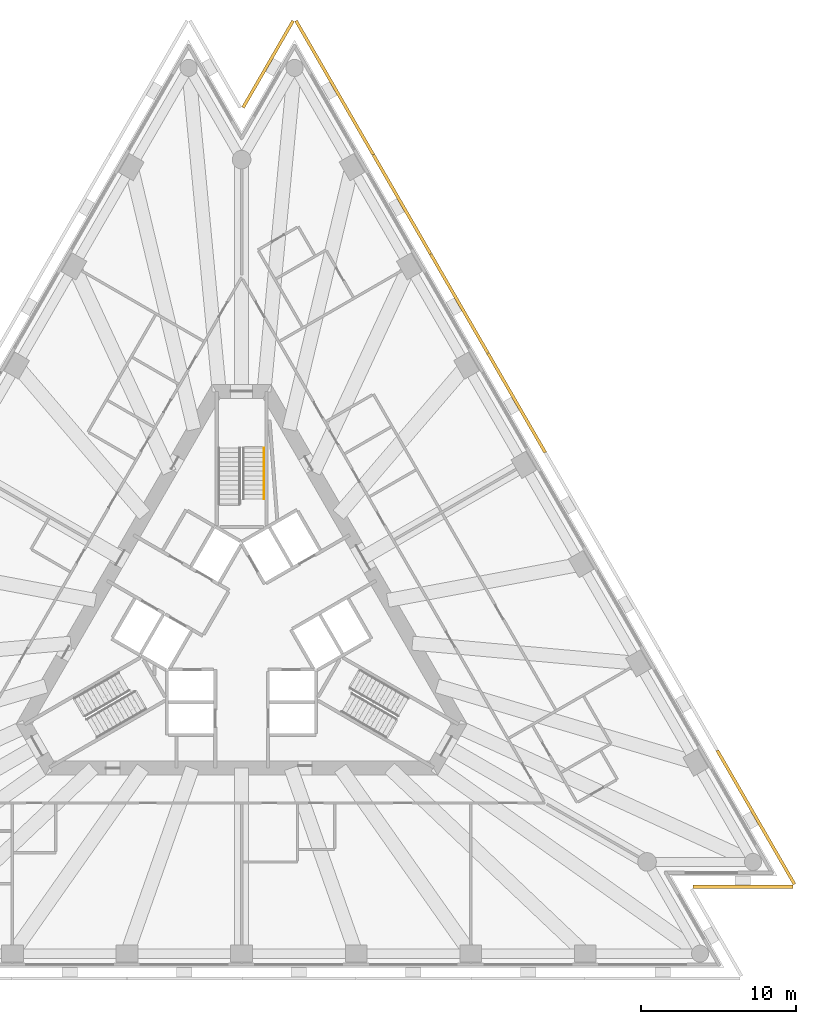
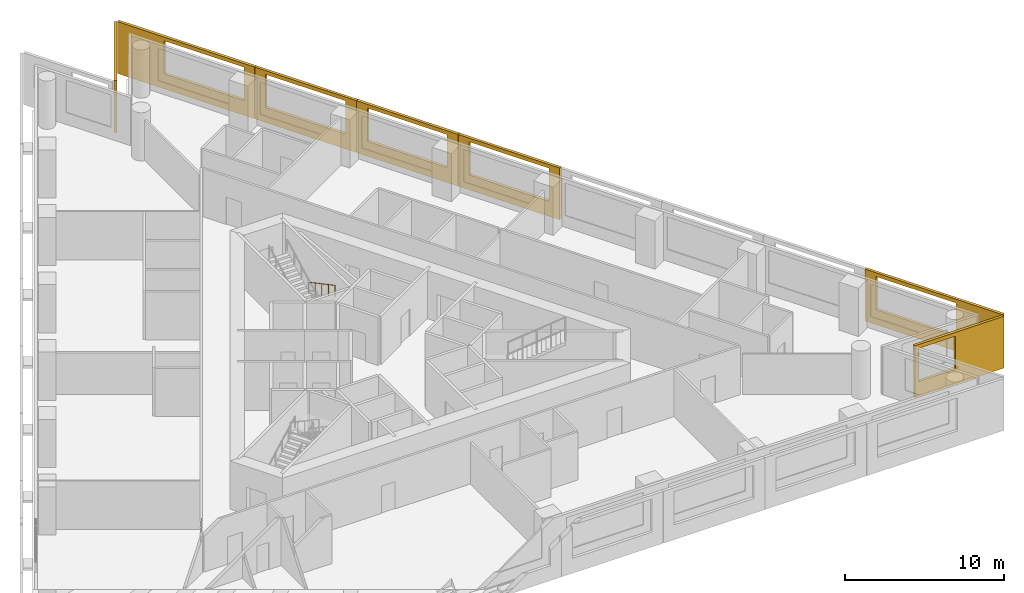
# One storey, part 11 of 11: 7 shading devices, 1 railing, 1 element without a shape of its own.
"""IFC4 building model written with IfcOpenShell, lengths in metres."""

import ifcopenshell
import ifcopenshell.guid

model = None  # the IFC model being written
_history = None  # IfcOwnerHistory: only IFC2X3 demands one
_inside = {}  # id of a spatial element -> (the spatial element, [elements in it])
_under = {}  # id of a project, library or spatial element -> (it, [spatial elements below it])
_declared = {}  # id of a project -> (the project, [libraries it declares])
_typed = {}  # id of a type object -> (the type object, [elements of that type])
_made_of = {}  # id of a material, layer set ... -> (it, [elements and type objects made of it])


def new_model(schema):
    """Start an empty IFC model of exactly this schema.

    Asked for "IFC4X3", IfcOpenShell would pick the latest addendum, in which some entities
    have other attributes; the version numbers below select the first issue.
    IFC2X3 requires an IfcOwnerHistory on every rooted entity: one is made here for all.
    """
    global model, _history
    if schema == "IFC4X3":
        model = ifcopenshell.file(schema_version=(4, 3, 0, 0))
    else:
        model = ifcopenshell.file(schema=schema)
    _inside.clear()
    _under.clear()
    _declared.clear()
    _typed.clear()
    _made_of.clear()
    _history = None
    if model.schema == "IFC2X3":
        org = make("IfcOrganization", Name="unknown")
        user = make(
            "IfcPersonAndOrganization",
            ThePerson=make("IfcPerson", FamilyName="unknown"),
            TheOrganization=org,
        )
        app = make(
            "IfcApplication",
            ApplicationDeveloper=org,
            Version="unknown",
            ApplicationFullName="unknown",
            ApplicationIdentifier="unknown",
        )
        _history = make(
            "IfcOwnerHistory",
            OwningUser=user,
            OwningApplication=app,
            ChangeAction="ADDED",
            CreationDate=0,
        )
    return model


def make(cls, **values):
    """One entity of the class cls with the attributes given. An attribute that is None is left unset."""
    return model.create_entity(
        cls, **{name: value for name, value in values.items() if value is not None}
    )


def rooted(cls, **values):
    """An entity with a GlobalId (a new one), such as an element, a storey or a relation."""
    return make(cls, GlobalId=ifcopenshell.guid.new(), OwnerHistory=_history, **values)


def si_unit(unit_type, name, prefix=None):
    """IfcSIUnit, for example si_unit("LENGTHUNIT", "METRE", prefix="MILLI")."""
    return make("IfcSIUnit", UnitType=unit_type, Prefix=prefix, Name=name)


def assignment(units):
    """IfcUnitAssignment: the units of a project."""
    return None if units is None else make("IfcUnitAssignment", Units=units)


def point(xyz):
    """IfcCartesianPoint."""
    return None if xyz is None else make("IfcCartesianPoint", Coordinates=xyz)


def direction(xyz):
    """IfcDirection."""
    return None if xyz is None else make("IfcDirection", DirectionRatios=xyz)


def frame(location, z_axis=None, x_axis=None):
    """IfcAxis2Placement3D, a coordinate frame: its origin and axes. An axis left out is left unset."""
    return make(
        "IfcAxis2Placement3D",
        Location=point(location),
        Axis=direction(z_axis),
        RefDirection=direction(x_axis),
    )


def frame_2d(location, x_axis=None):
    """IfcAxis2Placement2D, a coordinate frame in the plane: its origin and x axis."""
    return make(
        "IfcAxis2Placement2D", Location=point(location), RefDirection=direction(x_axis)
    )


def origin():
    """The frame at (0, 0, 0) with its axes left unset."""
    return frame((0.0, 0.0, 0.0))


def origin_2d():
    """The frame at (0, 0) in the plane with its x axis left unset."""
    return frame_2d((0.0, 0.0))


def place(relative_to, where):
    """IfcLocalPlacement: puts the frame where relative to a parent placement (None: the world)."""
    return make(
        "IfcLocalPlacement", PlacementRelTo=relative_to, RelativePlacement=where
    )


def context(
    kind, dimensions, precision=None, world=None, true_north=None, identifier=None
):
    """IfcGeometricRepresentationContext, for example the 3D "Model" context."""
    return make(
        "IfcGeometricRepresentationContext",
        ContextIdentifier=identifier,
        ContextType=kind,
        CoordinateSpaceDimension=dimensions,
        Precision=precision,
        WorldCoordinateSystem=world,
        TrueNorth=true_north,
    )


def subcontext(parent, identifier, kind, view, scale=None):
    """IfcGeometricRepresentationSubContext, for example "Body" below "Model"."""
    return make(
        "IfcGeometricRepresentationSubContext",
        ContextIdentifier=identifier,
        ContextType=kind,
        ParentContext=parent,
        TargetScale=scale,
        TargetView=view,
    )


def project(units=None, contexts=None):
    """IfcProject with its units and contexts."""
    return rooted(
        "IfcProject",
        Name="project",
        RepresentationContexts=contexts,
        UnitsInContext=assignment(units),
    )


def spatial(cls, under=None, at=None, **own):
    """A site, building, storey or space (cls), placed at a placement, below another one or the project."""
    s = rooted(cls, ObjectPlacement=at, **own)
    if under is not None:
        _under.setdefault(under.id(), (under, []))[1].append(s)
    return s


def polyline(points):
    """IfcPolyline through the points."""
    return make("IfcPolyline", Points=[point(p) for p in points])


def profile(cls, at=None, kind="AREA", **sizes):
    """A parametric profile (cls). Its sizes go by their IFC names, for example OverallWidth=200.0."""
    return make(cls, ProfileType=kind, Position=at, **sizes)


def circle(**sizes):
    """IfcCircleProfileDef."""
    return profile("IfcCircleProfileDef", **sizes)


def outline(outer, holes=None, kind="AREA"):
    """IfcArbitraryClosedProfileDef: a profile drawn as a closed curve; with holes, ...WithVoids."""
    if holes is None:
        return make("IfcArbitraryClosedProfileDef", ProfileType=kind, OuterCurve=outer)
    return make(
        "IfcArbitraryProfileDefWithVoids",
        ProfileType=kind,
        OuterCurve=outer,
        InnerCurves=holes,
    )


def extrude(swept, where, along, depth):
    """IfcExtrudedAreaSolid: the profile swept, set in the frame where, extruded along a direction by depth."""
    return make(
        "IfcExtrudedAreaSolid",
        SweptArea=swept,
        Position=where,
        ExtrudedDirection=direction(along),
        Depth=depth,
    )


def shape(context_of_items, identifier, shape_type, items):
    """IfcShapeRepresentation: the items that make up one representation, for example the "Body"."""
    return make(
        "IfcShapeRepresentation",
        ContextOfItems=context_of_items,
        RepresentationIdentifier=identifier,
        RepresentationType=shape_type,
        Items=items,
    )


def material(Name=None, Category=None):
    """IfcMaterial."""
    return make("IfcMaterial", Name=Name, Category=Category)


def layer(
    of_material, thickness, ventilated=None, Name=None, Category=None, Priority=None
):
    """IfcMaterialLayer: one layer of a wall or slab, of a material (None: an air gap)."""
    return make(
        "IfcMaterialLayer",
        Material=of_material,
        LayerThickness=thickness,
        IsVentilated=ventilated,
        Name=Name,
        Category=Category,
        Priority=Priority,
    )


def layer_set(layers, Name=None):
    """IfcMaterialLayerSet."""
    return make("IfcMaterialLayerSet", MaterialLayers=layers, LayerSetName=Name)


def made_of(thing, what):
    """Note that an element or type object is made of a material, layer set ...; save() writes the relation."""
    if what is not None:
        _made_of.setdefault(what.id(), (what, []))[1].append(thing)
    return thing


def type_object(cls, material=None, **own):
    """A type object (cls), such as IfcWallType, which elements share."""
    return made_of(rooted(cls, **own), material)


def element(
    cls,
    number,
    at=None,
    inside=None,
    cuts=None,
    type_object=None,
    material=None,
    context=None,
    identifier="Body",
    shape_type=None,
    held_by="IfcProductDefinitionShape",
    body=None,
    shapes=None,
    **own,
):
    """One element of the class cls, such as IfcWall. Its Tag is "e" and its number.

    at: its placement. inside: the storey or other place that contains it. cuts: it is an
    opening in that element (IfcRelVoidsElement). A single representation is given by context,
    identifier, shape_type and body (its items); several are given by shapes. held_by: the class
    of the entity that holds the representations. save() writes the other relations.
    """
    e = rooted(cls, Tag="e%d" % number, ObjectPlacement=at, **own)
    if body is not None:
        shapes = [shape(context, identifier, shape_type, body)]
    if shapes is not None:
        e.Representation = make(held_by, Representations=shapes)
    if inside is not None:
        _inside.setdefault(inside.id(), (inside, []))[1].append(e)
    if cuts is not None:
        rooted(
            "IfcRelVoidsElement", RelatingBuildingElement=cuts, RelatedOpeningElement=e
        )
    if type_object is not None:
        _typed.setdefault(type_object.id(), (type_object, []))[1].append(e)
    return made_of(e, material)


def aggregate(whole, parts):
    """IfcRelAggregates: a whole, such as a stair, and the parts it consists of."""
    return rooted("IfcRelAggregates", RelatingObject=whole, RelatedObjects=parts)


def save(model, path):
    """Write the relations noted so far, then the file.

    IfcRelAggregates (storeys below a building ...), IfcRelContainedInSpatialStructure (elements
    in a storey), IfcRelDefinesByType, IfcRelAssociatesMaterial and IfcRelDeclares: one each for
    every whole, place, type object, material and project.
    """
    for whole, parts in _under.values():
        aggregate(whole, parts)
    for where, things in _inside.values():
        rooted(
            "IfcRelContainedInSpatialStructure",
            RelatedElements=things,
            RelatingStructure=where,
        )
    for kind, things in _typed.values():
        rooted("IfcRelDefinesByType", RelatedObjects=things, RelatingType=kind)
    for what, things in _made_of.values():
        rooted("IfcRelAssociatesMaterial", RelatedObjects=things, RelatingMaterial=what)
    for by, libraries in _declared.values():
        rooted("IfcRelDeclares", RelatingContext=by, RelatedDefinitions=libraries)
    model.write(path)


model = new_model("IFC4")

# Units and contexts
model_context = context("Model", 3, precision=1e-05, world=origin(), true_north=direction((0.0, 1.0)))
body_context = subcontext(model_context, "Body", "Model", "MODEL_VIEW")
ifc_project = project(units=[si_unit("LENGTHUNIT", "METRE"), si_unit("AREAUNIT", "SQUARE_METRE"), si_unit("VOLUMEUNIT", "CUBIC_METRE"), si_unit("PLANEANGLEUNIT", "RADIAN"), si_unit("MASSUNIT", "GRAM", prefix="KILO")], contexts=[model_context])

# Site, building, storey
site_placement = place(None, origin())
site = spatial("IfcSite", under=ifc_project, at=site_placement, CompositionType="ELEMENT")
building_placement = place(site_placement, origin())
building = spatial("IfcBuilding", under=site, at=building_placement, Name="Triada Interchange Tower", CompositionType="ELEMENT")
storey_placement = place(building_placement, frame((0.0, 0.0, 67.300048828125)))
storey = spatial("IfcBuildingStorey", under=building, at=storey_placement, Name="L14", CompositionType="ELEMENT", Elevation=67.300048828125)

# Shading devices
ifc_material_1 = material(Name="Concrete C50/60 precast", Category="concrete")
ifc_layer_1 = layer(ifc_material_1, 0.02001953125, Name="Exposed aggregate face")
ifc_layer_2 = layer(ifc_material_1, 0.179931640625, Name="Precast concrete screen")
ifc_layer_set = layer_set([ifc_layer_1, ifc_layer_2], Name="Outer skin screen panel 3980")
shading_device_type = type_object("IfcShadingDeviceType", Name="Outer skin screen panel 3980", PredefinedType="SHUTTER", material=ifc_layer_set)
shading_device_1_placement = place(storey_placement, frame((29.10498046875, -16.597900390625, -0.2900390625), z_axis=(0.0, 0.0, 1.0), x_axis=(1.0, 0.0, 0.0)))
element("IfcShadingDevice", 1, at=shading_device_1_placement, inside=storey, type_object=shading_device_type, Name="Outer skin screen panel L14 20", PredefinedType="SHUTTER", context=body_context, shape_type="SweptSolid", body=[
    extrude(outline(polyline([(0.0, 0.0), (6.466064453125, 0.0), (6.466064453125, 3.97998046875), (0.0, 3.97998046875), (0.0, 0.0)]), holes=[polyline([(0.300048828125, 1.139892578125), (0.300048828125, 3.68994140625), (2.9580078125, 3.68994140625), (2.9580078125, 1.139892578125), (0.300048828125, 1.139892578125)])]), frame((0.0, 0.0, 0.0), z_axis=(0.0, -1.0, 0.0), x_axis=(1.0, 0.0, 0.0)), (0.0, 0.0, 1.0), 0.199951171875),
])
shading_device_2_placement = place(storey_placement, frame((35.575927734375, -16.589111328125, -0.2900390625), z_axis=(0.0, 0.0, 1.0), x_axis=(-0.500000141972, 0.866025321817, 0.0)))
element("IfcShadingDevice", 2, at=shading_device_2_placement, inside=storey, type_object=shading_device_type, Name="Outer skin screen panel L14 21", PredefinedType="SHUTTER", context=body_context, shape_type="SweptSolid", body=[
    extrude(outline(polyline([(0.0, 0.0), (9.9697265625, 0.0), (9.9697265625, 3.97998046875), (0.0, 3.97998046875), (0.0, 0.0)]), holes=[polyline([(3.38427734375, 1.139892578125), (3.38427734375, 3.68994140625), (9.184326171875, 3.68994140625), (9.184326171875, 1.139892578125), (3.38427734375, 1.139892578125)])]), frame((0.0, 0.0, 0.0), z_axis=(0.0, -1.0, 0.0), x_axis=(1.0, 0.0, 0.0)), (0.0, 0.0, 1.0), 0.199951171875),
])
shading_device_3_placement = place(storey_placement, frame((19.493896484375, 11.26611328125, -0.2900390625), z_axis=(0.0, 0.0, 1.0), x_axis=(-0.500011057729, 0.866019019507, 0.0)))
element("IfcShadingDevice", 3, at=shading_device_3_placement, inside=storey, type_object=shading_device_type, Name="Outer skin screen panel L14 25", PredefinedType="SHUTTER", context=body_context, shape_type="SweptSolid", body=[
    extrude(outline(polyline([(0.0, 0.0), (7.371337890625, 0.0), (7.371337890625, 3.97998046875), (0.0, 3.97998046875), (0.0, 0.0)]), holes=[polyline([(0.785400390625, 1.139892578125), (0.785400390625, 3.68994140625), (6.58544921875, 3.68994140625), (6.58544921875, 1.139892578125), (0.785400390625, 1.139892578125)])]), frame((0.0, 0.0, 0.0), z_axis=(0.0, -1.0, 0.0), x_axis=(1.0, 0.0, 0.0)), (0.0, 0.0, 1.0), 0.199951171875),
])
shading_device_4_placement = place(storey_placement, frame((15.798095703125, 17.66796875, -0.2900390625), z_axis=(0.0, 0.0, 1.0), x_axis=(-0.500021555226, 0.866012958511, 0.0)))
element("IfcShadingDevice", 4, at=shading_device_4_placement, inside=storey, type_object=shading_device_type, Name="Outer skin screen panel L14 26", PredefinedType="SHUTTER", context=body_context, shape_type="SweptSolid", body=[
    extrude(outline(polyline([(0.0, 0.0), (7.371826171875, 0.0), (7.371826171875, 3.97998046875), (0.0, 3.97998046875), (0.0, 0.0)]), holes=[polyline([(0.785888671875, 1.139892578125), (0.785888671875, 3.68994140625), (6.585693359375, 3.68994140625), (6.585693359375, 1.139892578125), (0.785888671875, 1.139892578125)])]), frame((0.0, 0.0, 0.0), z_axis=(0.0, -1.0, 0.0), x_axis=(1.0, 0.0, 0.0)), (0.0, 0.0, 1.0), 0.199951171875),
])
shading_device_5_placement = place(storey_placement, frame((12.10205078125, 24.069091796875, -0.2900390625), z_axis=(0.0, 0.0, 1.0), x_axis=(-0.500035896667, 0.866004677842, 0.0)))
element("IfcShadingDevice", 5, at=shading_device_5_placement, inside=storey, type_object=shading_device_type, Name="Outer skin screen panel L14 27", PredefinedType="SHUTTER", context=body_context, shape_type="SweptSolid", body=[
    extrude(outline(polyline([(0.0, 0.0), (7.37158203125, 0.0), (7.37158203125, 3.97998046875), (0.0, 3.97998046875), (0.0, 0.0)]), holes=[polyline([(0.7861328125, 1.139892578125), (0.7861328125, 3.68994140625), (6.586181640625, 3.68994140625), (6.586181640625, 1.139892578125), (0.7861328125, 1.139892578125)])]), frame((0.0, 0.0, 0.0), z_axis=(0.0, -1.0, 0.0), x_axis=(1.0, 0.0, 0.0)), (0.0, 0.0, 1.0), 0.199951171875),
])
shading_device_6_placement = place(storey_placement, frame((8.406005859375, 30.469970703125, -0.2900390625), z_axis=(0.0, 0.0, 1.0), x_axis=(-0.500018507784, 0.866014718047, 0.0)))
element("IfcShadingDevice", 6, at=shading_device_6_placement, inside=storey, type_object=shading_device_type, Name="Outer skin screen panel L14 28", PredefinedType="SHUTTER", context=body_context, shape_type="SweptSolid", body=[
    extrude(outline(polyline([(0.0, 0.0), (9.9697265625, 0.0), (9.9697265625, 3.97998046875), (0.0, 3.97998046875), (0.0, 0.0)]), holes=[polyline([(0.785400390625, 1.139892578125), (0.785400390625, 3.68994140625), (6.58544921875, 3.68994140625), (6.58544921875, 1.139892578125), (0.785400390625, 1.139892578125)])]), frame((0.0, 0.0, 0.0), z_axis=(0.0, -1.0, 0.0), x_axis=(1.0, 0.0, 0.0)), (0.0, 0.0, 1.0), 0.199951171875),
])
shading_device_7_placement = place(storey_placement, frame((3.410888671875, 39.10400390625, -0.2900390625), z_axis=(0.0, 0.0, 1.0), x_axis=(-0.500029706002, -0.866008252337, 0.0)))
element("IfcShadingDevice", 7, at=shading_device_7_placement, inside=storey, type_object=shading_device_type, Name="Outer skin screen panel L14 29", PredefinedType="SHUTTER", context=body_context, shape_type="SweptSolid", body=[
    extrude(outline(polyline([(0.0, 0.0), (6.46533203125, 0.0), (6.46533203125, 3.97998046875), (0.0, 3.97998046875), (0.0, 0.0)]), holes=[polyline([(3.175537109375, 1.139892578125), (3.175537109375, 3.68994140625), (6.166015625, 3.68994140625), (6.166015625, 1.139892578125), (3.175537109375, 1.139892578125)])]), frame((0.0, 0.0, 0.0), z_axis=(0.0, -1.0, 0.0), x_axis=(1.0, 0.0, 0.0)), (0.0, 0.0, 1.0), 0.199951171875),
])

# Stair, railing
ifc_material_2 = material(Name="Concrete C35/45", Category="concrete")
stair_type = type_object("IfcStairType", Name="HALF TURN STAIR 1400", PredefinedType="HALF_TURN_STAIR", material=ifc_material_2)
stair_placement = place(storey_placement, origin())
stair = element("IfcStair", 8, at=stair_placement, inside=storey, type_object=stair_type, Name="Exit stair S12-1", PredefinedType="HALF_TURN_STAIR")
ifc_material_3 = material(Name="Stainless steel 1.4301", Category="steel")
railing_type = type_object("IfcRailingType", Name="STAIR HANDRAIL 900", PredefinedType="HANDRAIL", material=ifc_material_3)
railing_placement = place(storey_placement, frame((1.449951171875, 11.60009765625, 0.159912109375)))
railing = element("IfcRailing", 9, at=railing_placement, type_object=railing_type, Name="Handrail S12-1 1W", PredefinedType="HANDRAIL", context=body_context, shape_type="SweptSolid", body=[
    extrude(circle(Radius=0.02392578125, at=origin_2d()), frame((0.0, 0.0, 0.8759765625), z_axis=(0.0, -0.882354748157, 0.47058484719), x_axis=(1.0, 0.0, 0.0)), (0.0, 0.0, 1.0), 3.739990234375),
    extrude(circle(Radius=0.02099609375, at=origin_2d()), origin(), (0.0, 0.0, 1.0), 0.851806640625),
    extrude(circle(Radius=0.02099609375, at=origin_2d()), frame((0.0, -0.824951171875, 0.43994140625)), (0.0, 0.0, 1.0), 0.851806640625),
    extrude(circle(Radius=0.02099609375, at=origin_2d()), frame((0.0, -1.64990234375, 0.8798828125)), (0.0, 0.0, 1.0), 0.851806640625),
    extrude(circle(Radius=0.02099609375, at=origin_2d()), frame((0.0, -2.47509765625, 1.320068359375)), (0.0, 0.0, 1.0), 0.851806640625),
    extrude(circle(Radius=0.02099609375, at=origin_2d()), frame((0.0, -3.300048828125, 1.760009765625)), (0.0, 0.0, 1.0), 0.851806640625),
])
aggregate(stair, [railing])

save(model, "model.ifc")
